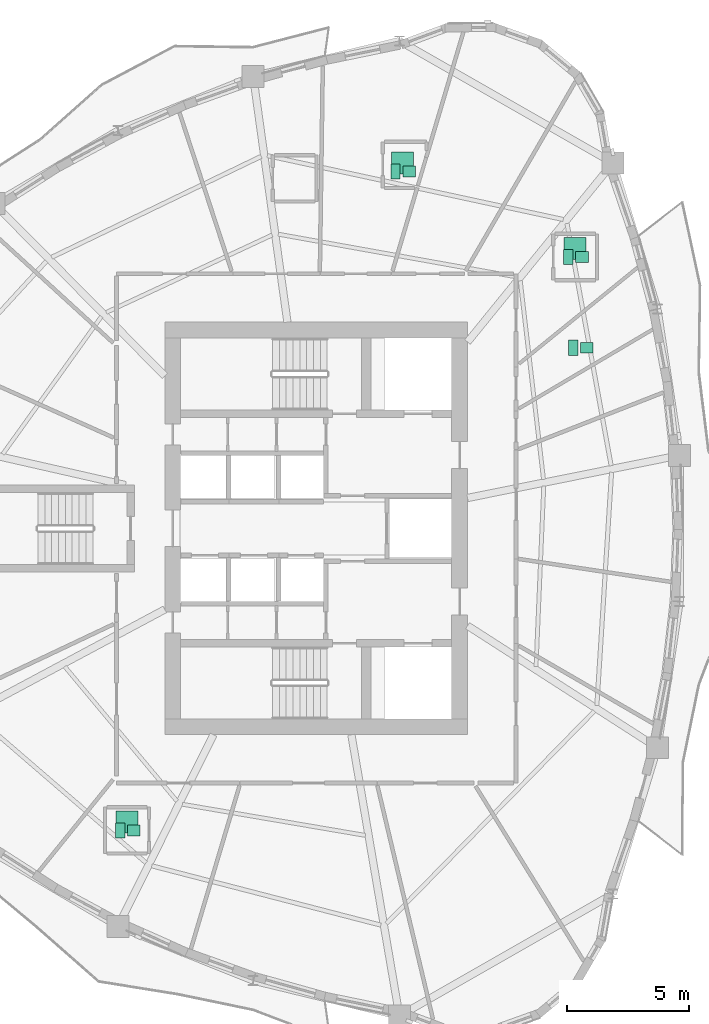
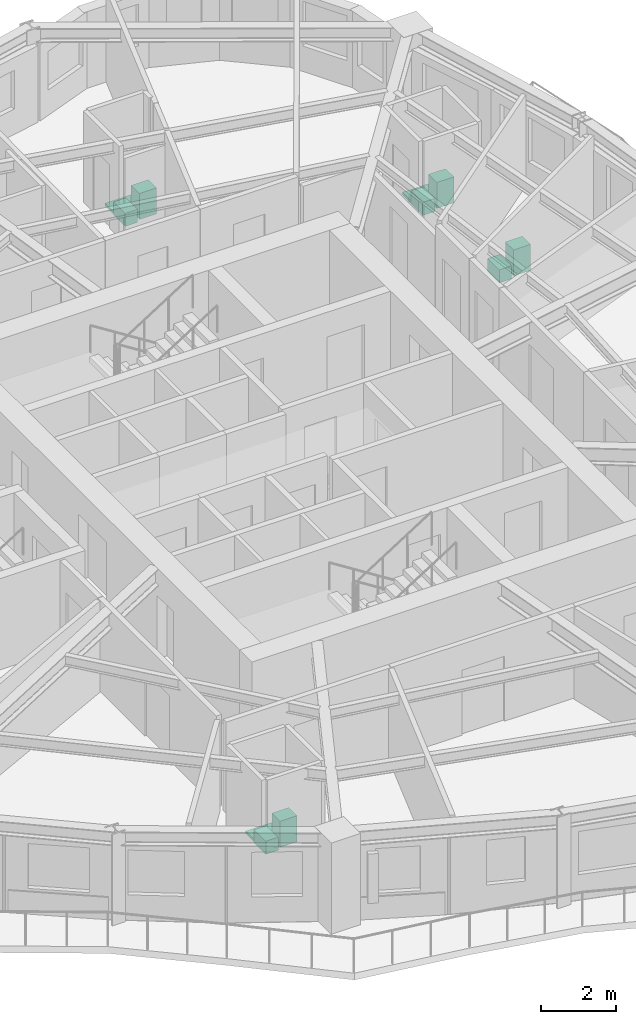
# One storey, part 12 of 12: 11 sanitary terminals.
"""IFC4 building model written with IfcOpenShell, lengths in metres."""

from ifc_helpers import new_model, si_unit, direction, frame, origin, origin_2d, place, context, subcontext, project, spatial, rectangle, extrude, source, transform, mapped, material, type_object, element, save


model = new_model("IFC4")

# Units and contexts
model_context = context("Model", 3, precision=1e-05, world=origin(), true_north=direction((0.0, 1.0)))
body_context = subcontext(model_context, "Body", "Model", "MODEL_VIEW")
ifc_project = project(units=[si_unit("LENGTHUNIT", "METRE"), si_unit("AREAUNIT", "SQUARE_METRE"), si_unit("VOLUMEUNIT", "CUBIC_METRE"), si_unit("PLANEANGLEUNIT", "RADIAN"), si_unit("MASSUNIT", "GRAM", prefix="KILO")], contexts=[model_context])

# Site, building, storey
site_placement = place(None, origin())
site = spatial("IfcSite", under=ifc_project, at=site_placement, CompositionType="ELEMENT")
building_placement = place(site_placement, origin())
building = spatial("IfcBuilding", under=site, at=building_placement, Name="Qafzar Sky-Pleat Residences", CompositionType="ELEMENT")
storey_placement = place(building_placement, frame((0.0, 0.0, 92.800048828125)))
storey = spatial("IfcBuildingStorey", under=building, at=storey_placement, Name="L27", CompositionType="ELEMENT", Elevation=92.800048828125)

# Sanitary terminals
ifc_material_1 = material(Name="Vitreous china sanitaryware")
sanitary_terminal_type_1 = type_object("IfcSanitaryTerminalType", Name="SAN-WC-PAN", PredefinedType="TOILETPAN", material=ifc_material_1)
shared_shape_1 = source(origin(), body_context, "Body", "SweptSolid", [
    extrude(rectangle(XDim=0.3798828125, YDim=0.6201171875, at=origin_2d()), origin(), (0.0, 0.0, 1.0), 0.419921875),
])
for number, where, z_axis, x_axis, name in (
    (1, (22.322998046875, 13.633056640625, 0.0), (0.0, 0.0, 1.0), (1.0, 0.0, 0.0), "L27 En-suite Bathroom 1 WC Pan"),
    (2, (40.877197265625, 33.3984375, 0.0), (0.0, 0.0, 1.0), (1.0, 0.0, 0.0), "L27 Accessible Shared Washroom WC Pan"),
    (3, (40.677978515625, 37.116943359375, 0.0), (0.0, 0.0, 1.0), (1.0, 0.0, 0.0), "L27 En-suite Bathroom 2 WC Pan"),
    (4, (33.59912109375, 40.61669921875, 0.0), (0.0, 0.0, 1.0), (1.0, 0.0, 0.0), "L27 En-suite Bathroom 3 WC Pan"),
):
    element("IfcSanitaryTerminal", number, at=place(storey_placement, frame(where, z_axis=z_axis, x_axis=x_axis)), inside=storey, type_object=sanitary_terminal_type_1, Name=name, PredefinedType="TOILETPAN", context=body_context, shape_type="MappedRepresentation", body=[
        mapped(shared_shape_1, transform((0.0, 0.0, 0.0), x_axis=(1.0, 0.0, 0.0), y_axis=(0.0, 1.0, 0.0), z_axis=(0.0, 0.0, 1.0), scale=1.0)),
    ])
sanitary_terminal_type_2 = type_object("IfcSanitaryTerminalType", Name="SAN-BASIN", PredefinedType="WASHHANDBASIN", material=ifc_material_1)
shared_shape_2 = source(origin(), body_context, "Body", "SweptSolid", [
    extrude(rectangle(XDim=0.52001953125, YDim=0.43994140625, at=origin_2d()), origin(), (0.0, 0.0, 1.0), 0.840087890625),
])
for number, where, z_axis, x_axis, name in (
    (5, (22.883056640625, 13.633056640625, 0.0), (0.0, 0.0, 1.0), (1.0, 0.0, 0.0), "L27 En-suite Bathroom 1 Pedestal Washbasin"),
    (6, (41.437255859375, 33.3984375, 0.0), (0.0, 0.0, 1.0), (1.0, 0.0, 0.0), "L27 Accessible Shared Washroom Pedestal Washbasin"),
    (7, (41.238037109375, 37.116943359375, 0.0), (0.0, 0.0, 1.0), (1.0, 0.0, 0.0), "L27 En-suite Bathroom 2 Pedestal Washbasin"),
    (8, (34.158935546875, 40.61669921875, 0.0), (0.0, 0.0, 1.0), (1.0, 0.0, 0.0), "L27 En-suite Bathroom 3 Pedestal Washbasin"),
):
    element("IfcSanitaryTerminal", number, at=place(storey_placement, frame(where, z_axis=z_axis, x_axis=x_axis)), inside=storey, type_object=sanitary_terminal_type_2, Name=name, PredefinedType="WASHHANDBASIN", context=body_context, shape_type="MappedRepresentation", body=[
        mapped(shared_shape_2, transform((0.0, 0.0, 0.0), x_axis=(1.0, 0.0, 0.0), y_axis=(0.0, 1.0, 0.0), z_axis=(0.0, 0.0, 1.0), scale=1.0)),
    ])
ifc_material_2 = material(Name="Vitreous china and acrylic tray")
sanitary_terminal_type_3 = type_object("IfcSanitaryTerminalType", Name="SAN-SHOWER", PredefinedType="SHOWER", material=ifc_material_2)
shared_shape_3 = source(origin(), body_context, "Body", "SweptSolid", [
    extrude(rectangle(XDim=0.89990234375, YDim=0.89990234375, at=origin_2d()), origin(), (0.0, 0.0, 1.0), 0.080078125),
])
for number, where, z_axis, x_axis, name in (
    (9, (22.60302734375, 13.972900390625, 0.0), (0.0, 0.0, 1.0), (1.0, 0.0, 0.0), "L27 En-suite Bathroom 1 Walk-In Shower"),
    (10, (40.9580078125, 37.45703125, 0.0), (0.0, 0.0, 1.0), (1.0, 0.0, 0.0), "L27 En-suite Bathroom 2 Walk-In Shower"),
    (11, (33.87890625, 40.956787109375, 0.0), (0.0, 0.0, 1.0), (1.0, 0.0, 0.0), "L27 En-suite Bathroom 3 Walk-In Shower"),
):
    element("IfcSanitaryTerminal", number, at=place(storey_placement, frame(where, z_axis=z_axis, x_axis=x_axis)), inside=storey, type_object=sanitary_terminal_type_3, Name=name, PredefinedType="SHOWER", context=body_context, shape_type="MappedRepresentation", body=[
        mapped(shared_shape_3, transform((0.0, 0.0, 0.0), x_axis=(1.0, 0.0, 0.0), y_axis=(0.0, 1.0, 0.0), z_axis=(0.0, 0.0, 1.0), scale=1.0)),
    ])

save(model, "model.ifc")
